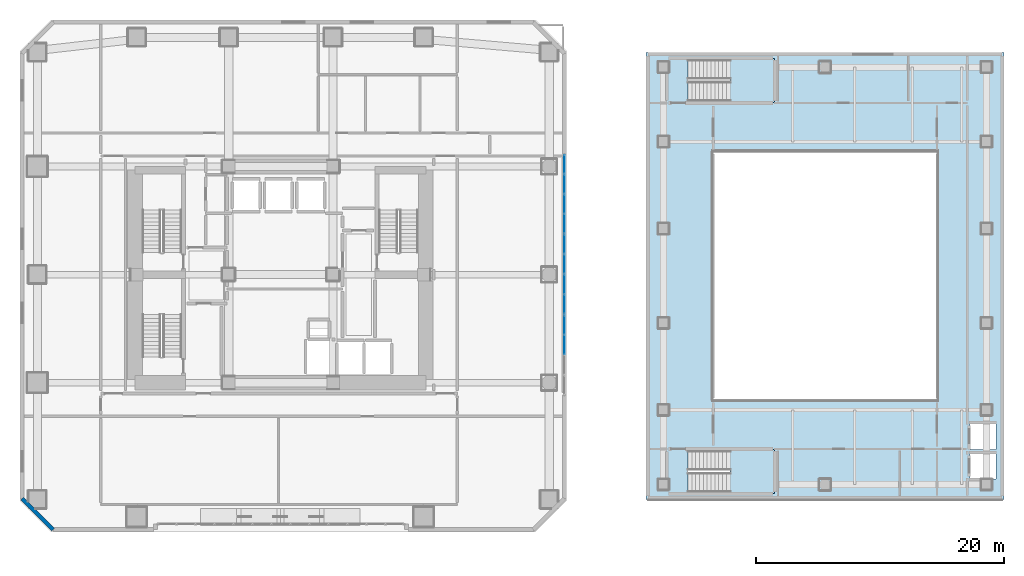
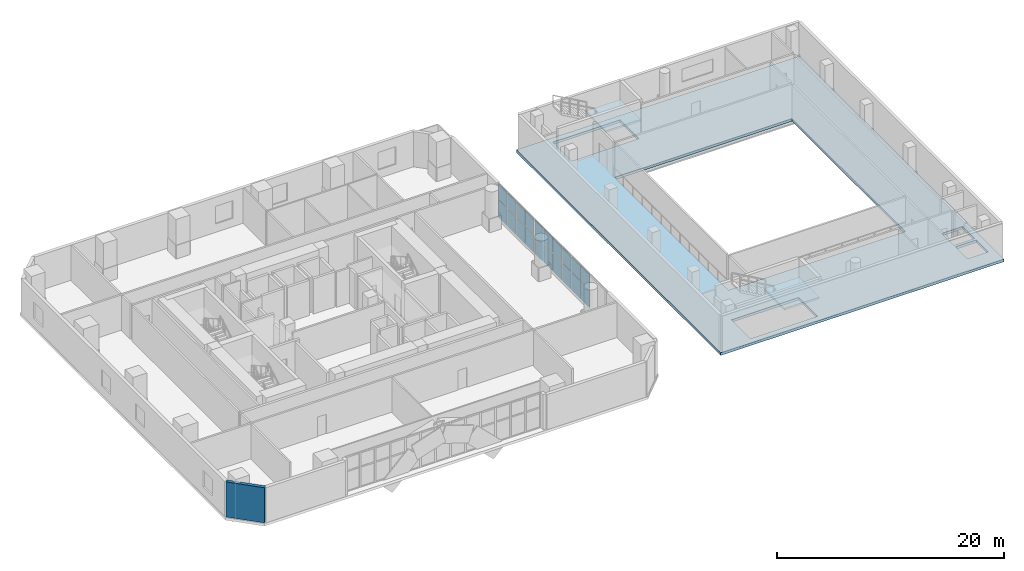
# One storey, part 13 of 22: 20 plates, 3 slabs, 1 wall, 5 elements without a shape of their own.
"""IFC4 building model written with IfcOpenShell, lengths in metres."""

from ifc_helpers import new_model, si_unit, direction, frame, frame_2d, origin, origin_2d, place, context, subcontext, project, spatial, polyline, rectangle, outline, extrude, material, layer, layer_set, type_object, element, aggregate, save


model = new_model("IFC4")

# Units and contexts
model_context = context("Model", 3, precision=1e-05, world=origin(), true_north=direction((0.0, 1.0)))
body_context = subcontext(model_context, "Body", "Model", "MODEL_VIEW")
ifc_project = project(units=[si_unit("LENGTHUNIT", "METRE"), si_unit("AREAUNIT", "SQUARE_METRE"), si_unit("VOLUMEUNIT", "CUBIC_METRE"), si_unit("PLANEANGLEUNIT", "RADIAN"), si_unit("MASSUNIT", "GRAM", prefix="KILO")], contexts=[model_context])

# Site, building, storey
site_placement = place(None, origin())
site = spatial("IfcSite", under=ifc_project, at=site_placement, CompositionType="ELEMENT")
building_placement = place(site_placement, origin())
building = spatial("IfcBuilding", under=site, at=building_placement, Name="Solanera Arch Residences", CompositionType="ELEMENT")
storey_placement = place(building_placement, frame((0.0, 0.0, 13.60009765625)))
storey = spatial("IfcBuildingStorey", under=building, at=storey_placement, Name="L03", CompositionType="ELEMENT", Elevation=13.60009765625)

# Stair, slab
ifc_material_1 = material(Name="Concrete C40/50 (f'c = 45 MPa)", Category="concrete")
stair_type = type_object("IfcStairType", Name="Arena Dogleg Exit Stair 1560", PredefinedType="HALF_TURN_STAIR", material=ifc_material_1)
stair_1_placement = place(storey_placement, origin())
stair_1 = element("IfcStair", 1, at=stair_1_placement, inside=storey, type_object=stair_type, Name="L03 Sports Hall South Exit Stair", PredefinedType="HALF_TURN_STAIR")
ifc_material_2 = material(Name="Concrete C40/50 (f'c = 45 MPa)", Category="concrete")
ifc_layer_1 = layer(ifc_material_2, 0.199951171875)
ifc_layer_set_1 = layer_set([ifc_layer_1], Name="Concrete C40/50 (f'c = 45 MPa)")
slab_type_1 = type_object("IfcSlabType", Name="Stair Half-Landing Slab 200", PredefinedType="LANDING", material=ifc_layer_set_1)
slab_1_placement = place(storey_placement, frame((0.0, 0.0, 1.89990234375)))
slab_1 = element("IfcSlab", 2, at=slab_1_placement, type_object=slab_type_1, Name="ST-H1 landing 1", PredefinedType="LANDING", context=body_context, shape_type="SweptSolid", body=[
    extrude(outline(polyline([(61.159912109375, 13.080078125), (64.719970703125, 13.080078125), (64.719970703125, 16.639892578125), (61.159912109375, 16.639892578125), (61.159912109375, 13.080078125)])), origin(), (0.0, 0.0, 1.0), 0.199951171875),
])
aggregate(stair_1, [slab_1])

stair_2_placement = place(storey_placement, origin())
stair_2 = element("IfcStair", 3, at=stair_2_placement, inside=storey, type_object=stair_type, Name="L03 Sports Hall North Exit Stair", PredefinedType="HALF_TURN_STAIR")
slab_2_placement = place(storey_placement, frame((0.0, 0.0, 1.89990234375)))
slab_2 = element("IfcSlab", 4, at=slab_2_placement, type_object=slab_type_1, Name="ST-H2 landing 1", PredefinedType="LANDING", context=body_context, shape_type="SweptSolid", body=[
    extrude(outline(polyline([(61.159912109375, 44.56005859375), (64.719970703125, 44.56005859375), (64.719970703125, 48.1201171875), (61.159912109375, 48.1201171875), (61.159912109375, 44.56005859375)])), origin(), (0.0, 0.0, 1.0), 0.199951171875),
])
aggregate(stair_2, [slab_2])

# Slab
ifc_material_3 = material(Name="Concrete C40/50 (f'c = 45 MPa)", Category="concrete")
ifc_layer_2 = layer(ifc_material_3, 0.280029296875)
ifc_layer_set_2 = layer_set([ifc_layer_2], Name="Concrete C40/50 (f'c = 45 MPa)")
slab_type_2 = type_object("IfcSlabType", Name="Suspended Floor Slab Post-Tensioned 280", PredefinedType="FLOOR", material=ifc_layer_set_2)
slab_3_placement = place(storey_placement, frame((0.0, 0.0, -0.280029296875)))
element("IfcSlab", 5, at=slab_3_placement, inside=storey, type_object=slab_type_2, Name="L03 Civic Multi-Sports Hall Spectator Concourse Ring Slab", PredefinedType="FLOOR", context=body_context, shape_type="SweptSolid", body=[
    extrude(outline(polyline([(54.39990234375, 12.60009765625), (83.199951171875, 12.60009765625), (83.199951171875, 48.60009765625), (54.39990234375, 48.60009765625), (54.39990234375, 12.60009765625)]), holes=[polyline([(57.762939453125, 16.52001953125), (64.60009765625, 16.52001953125), (64.60009765625, 13.199951171875), (57.762939453125, 13.199951171875), (57.762939453125, 16.52001953125)]), polyline([(57.762939453125, 48.0), (64.60009765625, 48.0), (64.60009765625, 44.679931640625), (57.762939453125, 44.679931640625), (57.762939453125, 48.0)]), polyline([(80.449951171875, 16.35009765625), (82.550048828125, 16.35009765625), (82.550048828125, 14.25), (80.449951171875, 14.25), (80.449951171875, 16.35009765625)]), polyline([(80.449951171875, 18.75), (82.550048828125, 18.75), (82.550048828125, 16.64990234375), (80.449951171875, 16.64990234375), (80.449951171875, 18.75)]), polyline([(59.800048828125, 40.60009765625), (77.800048828125, 40.60009765625), (77.800048828125, 20.60009765625), (59.800048828125, 20.60009765625), (59.800048828125, 40.60009765625)])]), origin(), (0.0, 0.0, 1.0), 0.280029296875),
])

# Curtain wall, plates
ifc_material_4 = material(Name="Anodised Aluminium Alloy 6063-T6", Category="aluminium")
ifc_layer_3 = layer(ifc_material_4, 0.179931640625)
ifc_layer_set_3 = layer_set([ifc_layer_3], Name="Anodised Aluminium Alloy 6063-T6")
curtain_wall_type = type_object("IfcCurtainWallType", Name="CW-4 Podium Conservatory Curtain Wall", PredefinedType="USERDEFINED", material=ifc_layer_set_3)
curtain_wall_1_placement = place(storey_placement, origin())
curtain_wall_1 = element("IfcCurtainWall", 6, at=curtain_wall_1_placement, inside=storey, type_object=curtain_wall_type, Name="L03 Podium Conservatory Curtain Wall 1", ObjectType="CURTAIN_WALL", PredefinedType="USERDEFINED")
ifc_material_5 = material(Name="Double Glazed Low-E Laminated Glass", Category="glass")
ifc_layer_4 = layer(ifc_material_5, 0.028076171875)
ifc_layer_set_4 = layer_set([ifc_layer_4], Name="Double Glazed Low-E Laminated Glass")
plate_type = type_object("IfcPlateType", Name="Vision Glazing Panel GL-28", PredefinedType="CURTAIN_PANEL", material=ifc_layer_set_4)
plate_1_placement = place(storey_placement, frame((47.820068359375, 39.580078125, 0.080078125), z_axis=(0.0, 0.0, 1.0), x_axis=(0.0, -1.0, 0.0)))
plate_1 = element("IfcPlate", 7, at=plate_1_placement, type_object=plate_type, Name="CW-4 panel 1.1", PredefinedType="CURTAIN_PANEL", context=body_context, shape_type="SweptSolid", body=[
    extrude(rectangle(XDim=1.47998046875, YDim=0.028076171875, at=origin_2d()), origin(), (0.0, 0.0, 1.0), 1.8798828125),
])
plate_2_placement = place(storey_placement, frame((47.820068359375, 39.580078125, 2.0400390625), z_axis=(0.0, 0.0, 1.0), x_axis=(0.0, -1.0, 0.0)))
plate_2 = element("IfcPlate", 8, at=plate_2_placement, type_object=plate_type, Name="CW-4 panel 1.2", PredefinedType="CURTAIN_PANEL", context=body_context, shape_type="SweptSolid", body=[
    extrude(rectangle(XDim=1.47998046875, YDim=0.028076171875, at=origin_2d()), origin(), (0.0, 0.0, 1.0), 1.659912109375),
])
plate_3_placement = place(storey_placement, frame((47.820068359375, 38.0, 0.080078125), z_axis=(0.0, 0.0, 1.0), x_axis=(0.0, -1.0, 0.0)))
plate_3 = element("IfcPlate", 9, at=plate_3_placement, type_object=plate_type, Name="CW-4 panel 2.1", PredefinedType="CURTAIN_PANEL", context=body_context, shape_type="SweptSolid", body=[
    extrude(rectangle(XDim=1.52001953125, YDim=0.028076171875, at=origin_2d()), origin(), (0.0, 0.0, 1.0), 1.8798828125),
])
plate_4_placement = place(storey_placement, frame((47.820068359375, 38.0, 2.0400390625), z_axis=(0.0, 0.0, 1.0), x_axis=(0.0, -1.0, 0.0)))
plate_4 = element("IfcPlate", 10, at=plate_4_placement, type_object=plate_type, Name="CW-4 panel 2.2", PredefinedType="CURTAIN_PANEL", context=body_context, shape_type="SweptSolid", body=[
    extrude(rectangle(XDim=1.52001953125, YDim=0.028076171875, at=origin_2d()), origin(), (0.0, 0.0, 1.0), 1.659912109375),
])
plate_5_placement = place(storey_placement, frame((47.820068359375, 36.39990234375, 0.080078125), z_axis=(0.0, 0.0, 1.0), x_axis=(0.0, -1.0, 0.0)))
plate_5 = element("IfcPlate", 11, at=plate_5_placement, type_object=plate_type, Name="CW-4 panel 3.1", PredefinedType="CURTAIN_PANEL", context=body_context, shape_type="SweptSolid", body=[
    extrude(rectangle(XDim=1.52001953125, YDim=0.028076171875, at=origin_2d()), origin(), (0.0, 0.0, 1.0), 1.8798828125),
])
plate_6_placement = place(storey_placement, frame((47.820068359375, 36.39990234375, 2.0400390625), z_axis=(0.0, 0.0, 1.0), x_axis=(0.0, -1.0, 0.0)))
plate_6 = element("IfcPlate", 12, at=plate_6_placement, type_object=plate_type, Name="CW-4 panel 3.2", PredefinedType="CURTAIN_PANEL", context=body_context, shape_type="SweptSolid", body=[
    extrude(rectangle(XDim=1.52001953125, YDim=0.028076171875, at=origin_2d()), origin(), (0.0, 0.0, 1.0), 1.659912109375),
])
plate_7_placement = place(storey_placement, frame((47.820068359375, 34.820068359375, 0.080078125), z_axis=(0.0, 0.0, 1.0), x_axis=(0.0, -1.0, 0.0)))
plate_7 = element("IfcPlate", 13, at=plate_7_placement, type_object=plate_type, Name="CW-4 panel 4.1", PredefinedType="CURTAIN_PANEL", context=body_context, shape_type="SweptSolid", body=[
    extrude(rectangle(XDim=1.47998046875, YDim=0.028076171875, at=origin_2d()), origin(), (0.0, 0.0, 1.0), 1.8798828125),
])
plate_8_placement = place(storey_placement, frame((47.820068359375, 34.820068359375, 2.0400390625), z_axis=(0.0, 0.0, 1.0), x_axis=(0.0, -1.0, 0.0)))
plate_8 = element("IfcPlate", 14, at=plate_8_placement, type_object=plate_type, Name="CW-4 panel 4.2", PredefinedType="CURTAIN_PANEL", context=body_context, shape_type="SweptSolid", body=[
    extrude(rectangle(XDim=1.47998046875, YDim=0.028076171875, at=origin_2d()), origin(), (0.0, 0.0, 1.0), 1.659912109375),
])
aggregate(curtain_wall_1, [plate_1, plate_2, plate_3, plate_4, plate_5, plate_6, plate_7, plate_8])

curtain_wall_2_placement = place(storey_placement, origin())
curtain_wall_2 = element("IfcCurtainWall", 15, at=curtain_wall_2_placement, inside=storey, type_object=curtain_wall_type, Name="L03 Podium Conservatory Curtain Wall 2", ObjectType="CURTAIN_WALL", PredefinedType="USERDEFINED")
plate_9_placement = place(storey_placement, frame((47.820068359375, 33.16748046875, 0.080078125), z_axis=(0.0, 0.0, 1.0), x_axis=(0.0, -1.0, 0.0)))
plate_9 = element("IfcPlate", 16, at=plate_9_placement, type_object=plate_type, Name="CW-4 panel 1.1", PredefinedType="CURTAIN_PANEL", context=body_context, shape_type="SweptSolid", body=[
    extrude(rectangle(XDim=1.5048828125, YDim=0.028076171875, at=origin_2d()), origin(), (0.0, 0.0, 1.0), 1.8798828125),
])
plate_10_placement = place(storey_placement, frame((47.820068359375, 33.16748046875, 2.0400390625), z_axis=(0.0, 0.0, 1.0), x_axis=(0.0, -1.0, 0.0)))
plate_10 = element("IfcPlate", 17, at=plate_10_placement, type_object=plate_type, Name="CW-4 panel 1.2", PredefinedType="CURTAIN_PANEL", context=body_context, shape_type="SweptSolid", body=[
    extrude(rectangle(XDim=1.5048828125, YDim=0.028076171875, at=origin_2d()), origin(), (0.0, 0.0, 1.0), 1.659912109375),
])
plate_11_placement = place(storey_placement, frame((47.820068359375, 31.5625, 0.080078125), z_axis=(0.0, 0.0, 1.0), x_axis=(0.0, -1.0, 0.0)))
plate_11 = element("IfcPlate", 18, at=plate_11_placement, type_object=plate_type, Name="CW-4 panel 2.1", PredefinedType="CURTAIN_PANEL", context=body_context, shape_type="SweptSolid", body=[
    extrude(rectangle(XDim=1.544921875, YDim=0.028076171875, at=origin_2d()), origin(), (0.0, 0.0, 1.0), 1.8798828125),
])
plate_12_placement = place(storey_placement, frame((47.820068359375, 31.5625, 2.0400390625), z_axis=(0.0, 0.0, 1.0), x_axis=(0.0, -1.0, 0.0)))
plate_12 = element("IfcPlate", 19, at=plate_12_placement, type_object=plate_type, Name="CW-4 panel 2.2", PredefinedType="CURTAIN_PANEL", context=body_context, shape_type="SweptSolid", body=[
    extrude(rectangle(XDim=1.544921875, YDim=0.028076171875, at=origin_2d()), origin(), (0.0, 0.0, 1.0), 1.659912109375),
])
plate_13_placement = place(storey_placement, frame((47.820068359375, 29.9375, 0.080078125), z_axis=(0.0, 0.0, 1.0), x_axis=(0.0, -1.0, 0.0)))
plate_13 = element("IfcPlate", 20, at=plate_13_placement, type_object=plate_type, Name="CW-4 panel 3.1", PredefinedType="CURTAIN_PANEL", context=body_context, shape_type="SweptSolid", body=[
    extrude(rectangle(XDim=1.544921875, YDim=0.028076171875, at=origin_2d()), origin(), (0.0, 0.0, 1.0), 1.8798828125),
])
plate_14_placement = place(storey_placement, frame((47.820068359375, 29.9375, 2.0400390625), z_axis=(0.0, 0.0, 1.0), x_axis=(0.0, -1.0, 0.0)))
plate_14 = element("IfcPlate", 21, at=plate_14_placement, type_object=plate_type, Name="CW-4 panel 3.2", PredefinedType="CURTAIN_PANEL", context=body_context, shape_type="SweptSolid", body=[
    extrude(rectangle(XDim=1.544921875, YDim=0.028076171875, at=origin_2d()), origin(), (0.0, 0.0, 1.0), 1.659912109375),
])
plate_15_placement = place(storey_placement, frame((47.820068359375, 28.33251953125, 0.080078125), z_axis=(0.0, 0.0, 1.0), x_axis=(0.0, -1.0, 0.0)))
plate_15 = element("IfcPlate", 22, at=plate_15_placement, type_object=plate_type, Name="CW-4 panel 4.1", PredefinedType="CURTAIN_PANEL", context=body_context, shape_type="SweptSolid", body=[
    extrude(rectangle(XDim=1.5048828125, YDim=0.028076171875, at=origin_2d()), origin(), (0.0, 0.0, 1.0), 1.8798828125),
])
plate_16_placement = place(storey_placement, frame((47.820068359375, 28.33251953125, 2.0400390625), z_axis=(0.0, 0.0, 1.0), x_axis=(0.0, -1.0, 0.0)))
plate_16 = element("IfcPlate", 23, at=plate_16_placement, type_object=plate_type, Name="CW-4 panel 4.2", PredefinedType="CURTAIN_PANEL", context=body_context, shape_type="SweptSolid", body=[
    extrude(rectangle(XDim=1.5048828125, YDim=0.028076171875, at=origin_2d()), origin(), (0.0, 0.0, 1.0), 1.659912109375),
])
aggregate(curtain_wall_2, [plate_9, plate_10, plate_11, plate_12, plate_13, plate_14, plate_15, plate_16])

curtain_wall_3_placement = place(storey_placement, origin())
curtain_wall_3 = element("IfcCurtainWall", 24, at=curtain_wall_3_placement, inside=storey, type_object=curtain_wall_type, Name="L03 Podium Conservatory Curtain Wall 3", ObjectType="CURTAIN_WALL", PredefinedType="USERDEFINED")
plate_17_placement = place(storey_placement, frame((47.820068359375, 26.66748046875, 0.080078125), z_axis=(0.0, 0.0, 1.0), x_axis=(0.0, -1.0, 0.0)))
plate_17 = element("IfcPlate", 25, at=plate_17_placement, type_object=plate_type, Name="CW-4 panel 1.1", PredefinedType="CURTAIN_PANEL", context=body_context, shape_type="SweptSolid", body=[
    extrude(rectangle(XDim=1.5048828125, YDim=0.028076171875, at=origin_2d()), origin(), (0.0, 0.0, 1.0), 1.8798828125),
])
plate_18_placement = place(storey_placement, frame((47.820068359375, 26.66748046875, 2.0400390625), z_axis=(0.0, 0.0, 1.0), x_axis=(0.0, -1.0, 0.0)))
plate_18 = element("IfcPlate", 26, at=plate_18_placement, type_object=plate_type, Name="CW-4 panel 1.2", PredefinedType="CURTAIN_PANEL", context=body_context, shape_type="SweptSolid", body=[
    extrude(rectangle(XDim=1.5048828125, YDim=0.028076171875, at=origin_2d()), origin(), (0.0, 0.0, 1.0), 1.659912109375),
])
plate_19_placement = place(storey_placement, frame((47.820068359375, 25.0625, 0.080078125), z_axis=(0.0, 0.0, 1.0), x_axis=(0.0, -1.0, 0.0)))
plate_19 = element("IfcPlate", 27, at=plate_19_placement, type_object=plate_type, Name="CW-4 panel 2.1", PredefinedType="CURTAIN_PANEL", context=body_context, shape_type="SweptSolid", body=[
    extrude(rectangle(XDim=1.544921875, YDim=0.028076171875, at=origin_2d()), origin(), (0.0, 0.0, 1.0), 1.8798828125),
])
plate_20_placement = place(storey_placement, frame((47.820068359375, 25.0625, 2.0400390625), z_axis=(0.0, 0.0, 1.0), x_axis=(0.0, -1.0, 0.0)))
plate_20 = element("IfcPlate", 28, at=plate_20_placement, type_object=plate_type, Name="CW-4 panel 2.2", PredefinedType="CURTAIN_PANEL", context=body_context, shape_type="SweptSolid", body=[
    extrude(rectangle(XDim=1.544921875, YDim=0.028076171875, at=origin_2d()), origin(), (0.0, 0.0, 1.0), 1.659912109375),
])
aggregate(curtain_wall_3, [plate_17, plate_18, plate_19, plate_20])

# Wall
ifc_material_6 = material(Name="Precast Concrete C35/45", Category="concrete")
ifc_layer_5 = layer(ifc_material_6, 0.320068359375)
ifc_layer_set_5 = layer_set([ifc_layer_5], Name="Precast Concrete C35/45")
wall_type = type_object("IfcWallType", Name="Exterior Wall Precast Masonry-Frame 320", PredefinedType="STANDARD", material=ifc_layer_set_5)
wall_placement = place(storey_placement, frame((6.679931640625, 10.179931640625, 0.0), z_axis=(0.0, 0.0, 1.0), x_axis=(-0.707106781187, 0.707106781187, 0.0)))
element("IfcWall", 29, at=wall_placement, inside=storey, type_object=wall_type, Name="L03 Podium Precast Masonry-Frame Wall 8", PredefinedType="STANDARD", context=body_context, shape_type="SweptSolid", body=[
    extrude(rectangle(XDim=3.53564453125, YDim=0.320068359375, at=frame_2d((1.767822265625, 0.0))), origin(), (0.0, 0.0, 1.0), 3.77978515625),
])

save(model, "model.ifc")
